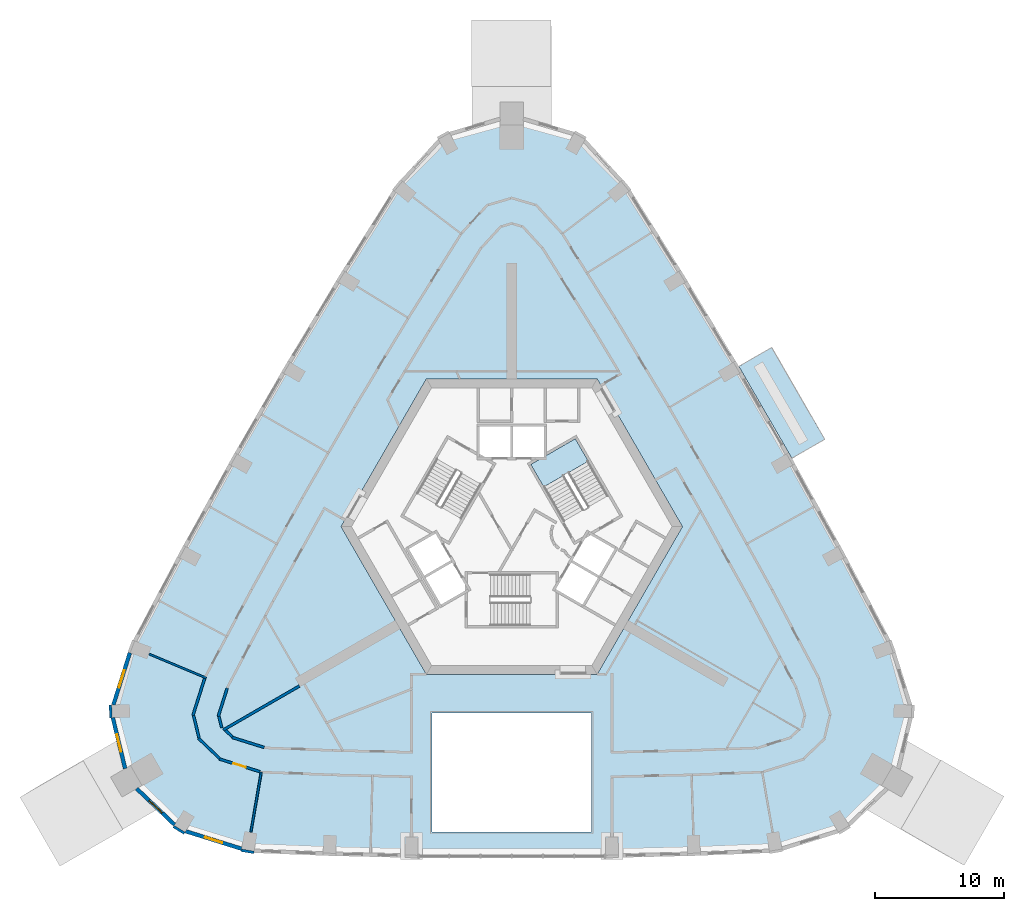
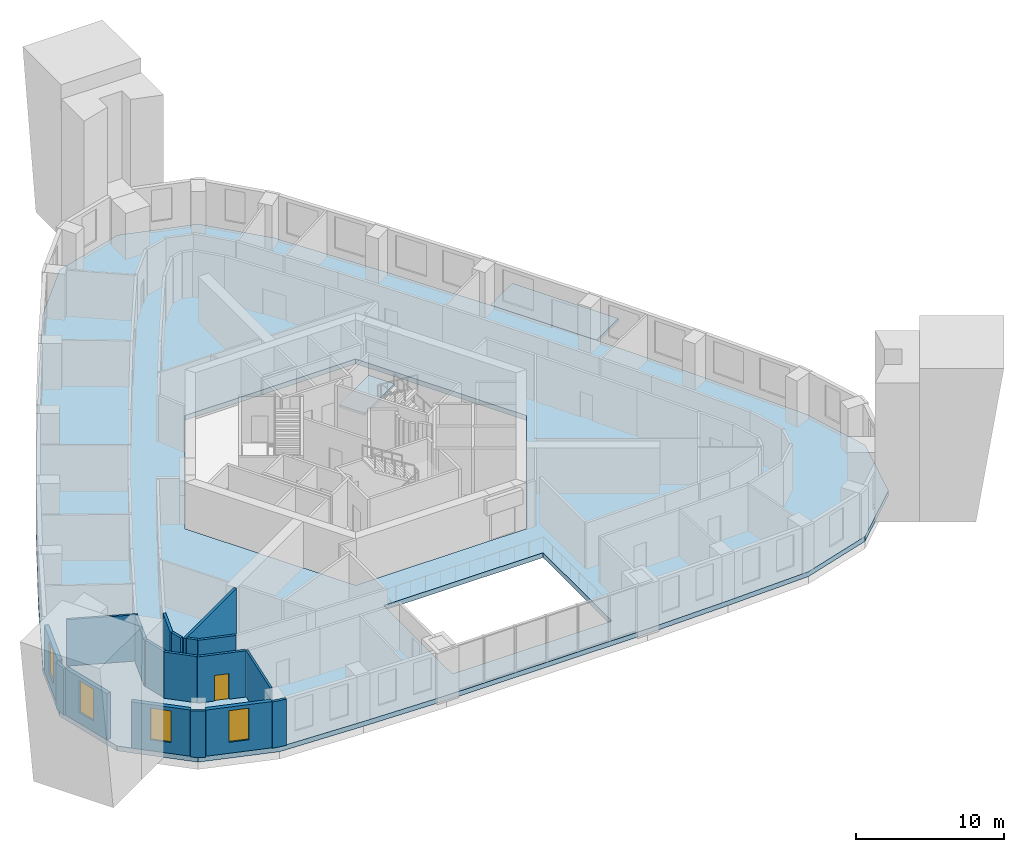
# One storey, part 3 of 13: 18 walls, 4 windows, 3 slabs, 1 door, 5 openings, 1 element without a shape of its own.
"""IFC4 building model written with IfcOpenShell, lengths in metres."""

from ifc_helpers import new_model, si_unit, direction, frame, frame_2d, origin, place, context, subcontext, project, spatial, polyline, rectangle, outline, extrude, material, layer, layer_set, type_object, element, fill, aggregate, save


model = new_model("IFC4")

# Units and contexts
model_context = context("Model", 3, precision=1e-05, world=origin(), true_north=direction((0.0, 1.0)))
body_context = subcontext(model_context, "Body", "Model", "MODEL_VIEW")
ifc_project = project(units=[si_unit("LENGTHUNIT", "METRE"), si_unit("AREAUNIT", "SQUARE_METRE"), si_unit("VOLUMEUNIT", "CUBIC_METRE"), si_unit("PLANEANGLEUNIT", "RADIAN"), si_unit("MASSUNIT", "GRAM", prefix="KILO")], contexts=[model_context])

# Site, building, storey
site_placement = place(None, origin())
site = spatial("IfcSite", under=ifc_project, at=site_placement, CompositionType="ELEMENT")
building_placement = place(site_placement, origin())
building = spatial("IfcBuilding", under=site, at=building_placement, Name="Entoto Arch Interchange Tower", CompositionType="ELEMENT")
storey_placement = place(building_placement, frame((0.0, 0.0, 215.0)))
storey = spatial("IfcBuildingStorey", under=building, at=storey_placement, Name="L48", CompositionType="ELEMENT", Elevation=215.0)

# Slab
ifc_material_1 = material(Name="Board-marked precast concrete C50/60", Category="concrete")
ifc_layer_1 = layer(ifc_material_1, 0.25)
ifc_layer_set_1 = layer_set([ifc_layer_1], Name="Board-marked precast concrete C50/60")
slab_type_1 = type_object("IfcSlabType", Name="BALCONY DECK PRECAST 250", PredefinedType="FLOOR", material=ifc_layer_set_1)
slab_1_placement = place(storey_placement, frame((0.0, 0.0, -0.25)))
element("IfcSlab", 1, at=slab_1_placement, inside=storey, type_object=slab_type_1, Name="Planted balcony NE-03 L48", PredefinedType="FLOOR", context=body_context, shape_type="SweptSolid", body=[
    extrude(outline(polyline([(21.791015625, 7.819091796875), (17.6669921875, 14.9619140625), (20.221923828125, 16.43701171875), (24.345947265625, 9.2939453125), (21.791015625, 7.819091796875)])), origin(), (0.0, 0.0, 1.0), 0.25),
])

# Stair, slab
ifc_material_2 = material(Name="Concrete C40/50", Category="concrete")
stair_type = type_object("IfcStairType", Name="EXIT STAIR RC 1800", PredefinedType="HALF_TURN_STAIR", material=ifc_material_2)
stair_placement = place(storey_placement, origin())
stair = element("IfcStair", 2, at=stair_placement, inside=storey, type_object=stair_type, Name="L48 Exit stair NE", PredefinedType="HALF_TURN_STAIR")
ifc_layer_2 = layer(ifc_material_2, 0.199951171875)
ifc_layer_set_2 = layer_set([ifc_layer_2], Name="Concrete C40/50")
slab_type_2 = type_object("IfcSlabType", Name="EXIT STAIR LANDING RC 200", PredefinedType="LANDING", material=ifc_layer_set_2)
slab_2_placement = place(storey_placement, frame((0.0, 0.0, 1.89990234375)))
slab_2 = element("IfcSlab", 3, at=slab_2_placement, type_object=slab_type_2, Name="ST-NE landing 1", PredefinedType="LANDING", context=body_context, shape_type="SweptSolid", body=[
    extrude(outline(polyline([(5.953369140625, 7.58837890625), (4.943359375, 9.337890625), (1.479248046875, 7.337890625), (2.4892578125, 5.58837890625), (5.953369140625, 7.58837890625)])), origin(), (0.0, 0.0, 1.0), 0.2001953125),
])
aggregate(stair, [slab_2])

# Slab
ifc_layer_3 = layer(ifc_material_2, 0.39990234375)
ifc_layer_set_3 = layer_set([ifc_layer_3], Name="Concrete C40/50")
slab_type_3 = type_object("IfcSlabType", Name="Post-tensioned flat plate 400 C40/50", PredefinedType="FLOOR", material=ifc_layer_set_3)
slab_3_placement = place(storey_placement, frame((0.0, 0.0, -0.39990234375)))
element("IfcSlab", 4, at=slab_3_placement, inside=storey, type_object=slab_type_3, Name="Floor slab L48", PredefinedType="FLOOR", context=body_context, shape_type="SweptSolid", body=[
    extrude(outline(polyline([(-20.569091796875, -22.862060546875), (-14.18505859375, -23.10693359375), (-7.800048828125, -23.260986328125), (7.800048828125, -23.260986328125), (14.18505859375, -23.10693359375), (20.569091796875, -22.862060546875), (25.93798828125, -21.179931640625), (29.991943359375, -17.31591796875), (31.31201171875, -11.873046875), (29.699951171875, -6.7880859375), (25.784912109375, 0.60205078125), (21.791015625, 7.819091796875), (17.6669921875, 14.9619140625), (13.4140625, 22.030029296875), (8.970947265625, 29.114990234375), (5.373046875, 33.052978515625), (0.0, 34.632080078125), (-5.373046875, 33.052978515625), (-8.970947265625, 29.114990234375), (-13.4140625, 22.030029296875), (-17.6669921875, 14.9619140625), (-21.791015625, 7.819091796875), (-25.784912109375, 0.60205078125), (-29.699951171875, -6.7880859375), (-31.31201171875, -11.873046875), (-29.991943359375, -17.31591796875), (-25.93798828125, -21.179931640625), (-20.569091796875, -22.862060546875)]), holes=[polyline([(6.199951171875, -21.260986328125), (6.199951171875, -12.0), (-6.199951171875, -12.0), (-6.199951171875, -21.260986328125), (6.199951171875, -21.260986328125)]), polyline([(13.279052734375, 2.5), (6.639892578125, 14.0), (-6.639892578125, 14.0), (-13.279052734375, 2.5), (-6.639892578125, -9.0), (6.639892578125, -9.0), (13.279052734375, 2.5)])]), origin(), (0.0, 0.0, 1.0), 0.39990234375),
])

# Walls
ifc_material_3 = material(Name="Gypsum board partition on steel studs", Category="steel")
ifc_layer_4 = layer(ifc_material_3, 0.14990234375)
ifc_layer_set_4 = layer_set([ifc_layer_4], Name="Gypsum board partition on steel studs")
wall_type_1 = type_object("IfcWallType", Name="PARTITION 150", PredefinedType="PARTITIONING", material=ifc_layer_set_4)
wall_1_placement = place(storey_placement, frame((-23.77392578125, -9.27294921875, 0.0), z_axis=(0.0, 0.0, 1.0), x_axis=(-0.922217762148, 0.386670918454, 0.0)))
element("IfcWall", 5, at=wall_1_placement, inside=storey, type_object=wall_type_1, Name="wall:L48:p128", PredefinedType="PARTITIONING", context=body_context, shape_type="SweptSolid", body=[
    extrude(rectangle(XDim=4.804931640625, YDim=0.14990234375, at=frame_2d((2.40234375, 0.0))), origin(), (0.0, 0.0, 1.0), 3.800048828125),
])
wall_2_placement = place(storey_placement, frame((-19.488037109375, -16.59912109375, 0.0), z_axis=(0.0, 0.0, 1.0), x_axis=(-0.169963884325, -0.985450292011, 0.0)))
element("IfcWall", 6, at=wall_2_placement, inside=storey, type_object=wall_type_1, Name="wall:L48:p129", PredefinedType="PARTITIONING", context=body_context, shape_type="SweptSolid", body=[
    extrude(rectangle(XDim=4.73583984375, YDim=0.14990234375, at=frame_2d((2.367919921875, 0.0))), origin(), (0.0, 0.0, 1.0), 3.800048828125),
])
ifc_layer_5 = layer(ifc_material_3, 0.199951171875)
ifc_layer_set_5 = layer_set([ifc_layer_5], Name="Gypsum board partition on steel studs")
wall_type_2 = type_object("IfcWallType", Name="PARTITION 200", PredefinedType="PARTITIONING", material=ifc_layer_set_5)
wall_3_placement = place(storey_placement, frame((-22.136962890625, -10.06689453125, 0.0), z_axis=(0.0, 0.0, 1.0), x_axis=(-0.302262657712, -0.953224677478, 0.0)))
element("IfcWall", 7, at=wall_3_placement, inside=storey, type_object=wall_type_2, Name="wall:L48:p029", PredefinedType="PARTITIONING", context=body_context, shape_type="SweptSolid", body=[
    extrude(rectangle(XDim=2.302734375, YDim=0.199951171875, at=frame_2d((1.1513671875, 0.0))), origin(), (0.0, 0.0, 1.0), 3.800048828125),
])
wall_4_placement = place(storey_placement, frame((-22.779052734375, -12.263916015625, 0.0), z_axis=(0.0, 0.0, 1.0), x_axis=(0.2356388299, -0.971840697771, 0.0)))
element("IfcWall", 8, at=wall_4_placement, inside=storey, type_object=wall_type_2, Name="wall:L48:p030", PredefinedType="PARTITIONING", context=body_context, shape_type="SweptSolid", body=[
    extrude(rectangle(XDim=0.900390625, YDim=0.199951171875, at=frame_2d((0.4501953125, 0.0))), origin(), (0.0, 0.0, 1.0), 3.800048828125),
])
wall_5_placement = place(storey_placement, frame((-22.281005859375, -13.3369140625, 0.0), z_axis=(0.0, 0.0, 1.0), x_axis=(0.723443840005, -0.690383234413, 0.0)))
element("IfcWall", 9, at=wall_5_placement, inside=storey, type_object=wall_type_2, Name="wall:L48:p031", PredefinedType="PARTITIONING", context=body_context, shape_type="SweptSolid", body=[
    extrude(rectangle(XDim=0.753173828125, YDim=0.199951171875, at=frame_2d((0.37646484375, 0.0))), origin(), (0.0, 0.0, 1.0), 3.800048828125),
])
wall_6_placement = place(storey_placement, frame((-21.759033203125, -13.89599609375, 0.0), z_axis=(0.0, 0.0, 1.0), x_axis=(0.954254371194, -0.298995978328, 0.0)))
element("IfcWall", 10, at=wall_6_placement, inside=storey, type_object=wall_type_2, Name="wall:L48:p032", PredefinedType="PARTITIONING", context=body_context, shape_type="SweptSolid", body=[
    extrude(rectangle(XDim=2.621826171875, YDim=0.199951171875, at=frame_2d((1.31103515625, 0.0))), origin(), (0.0, 0.0, 1.0), 3.800048828125),
])

# Wall, opening, door
wall_7_placement = place(storey_placement, frame((-19.5830078125, -16.569091796875, 0.0), z_axis=(0.0, 0.0, 1.0), x_axis=(-0.954238750745, 0.299045826884, 0.0)))
wall_7 = element("IfcWall", 11, at=wall_7_placement, inside=storey, type_object=wall_type_2, Name="wall:L48:p060", PredefinedType="PARTITIONING", context=body_context, shape_type="SweptSolid", body=[
    extrude(rectangle(XDim=3.31787109375, YDim=0.199951171875, at=frame_2d((1.658935546875, 0.0))), origin(), (0.0, 0.0, 1.0), 3.800048828125),
])
opening_1_placement = place(wall_7_placement, frame((1.158935546875, 0.0, 0.0)))
opening_1 = element("IfcOpeningElement", 12, at=opening_1_placement, cuts=wall_7, Name="Opening L48-D13", PredefinedType="OPENING", context=body_context, shape_type="SweptSolid", body=[
    extrude(rectangle(XDim=1.0, YDim=2.10009765625, at=frame_2d((0.5, 1.050048828125))), frame((0.0, 0.10986328125, 0.0), z_axis=(0.0, -1.0, 0.0), x_axis=(1.0, 0.0, 0.0)), (0.0, 0.0, 1.0), 0.219970703125),
])
ifc_material_4 = material(Name="Timber door leaf in Steel S235 frame", Category="steel")
door_type = type_object("IfcDoorType", Name="DOOR DS-10 1000x2100", OperationType="SINGLE_SWING_LEFT", PredefinedType="DOOR", material=ifc_material_4)
door_placement = place(opening_1_placement, origin())
door = element("IfcDoor", 13, at=door_placement, inside=storey, type_object=door_type, Name="door:L48:13", OperationType="SINGLE_SWING_RIGHT", OverallHeight=2.10009765625, OverallWidth=1.0, PredefinedType="DOOR", context=body_context, shape_type="SweptSolid", body=[
    extrude(rectangle(XDim=1.0, YDim=2.10009765625, at=frame_2d((0.5, 1.050048828125))), frame((0.0, 0.02490234375, 0.0), z_axis=(0.0, -1.0, 0.0), x_axis=(1.0, 0.0, 0.0)), (0.0, 0.0, 1.0), 0.050048828125),
])
fill(opening_1, door)

# Walls
wall_8_placement = place(storey_placement, frame((-22.72607421875, -15.5380859375, 0.0), z_axis=(0.0, 0.0, 1.0), x_axis=(-0.723967420116, 0.689834164571, 0.0)))
element("IfcWall", 14, at=wall_8_placement, inside=storey, type_object=wall_type_2, Name="wall:L48:p061", PredefinedType="PARTITIONING", context=body_context, shape_type="SweptSolid", body=[
    extrude(rectangle(XDim=2.28173828125, YDim=0.199951171875, at=frame_2d((1.140869140625, 0.0))), origin(), (0.0, 0.0, 1.0), 3.800048828125),
])
wall_9_placement = place(storey_placement, frame((-24.3291015625, -13.93505859375, 0.0), z_axis=(0.0, 0.0, 1.0), x_axis=(-0.235756216468, 0.971812227952, 0.0)))
element("IfcWall", 15, at=wall_9_placement, inside=storey, type_object=wall_type_2, Name="wall:L48:p062", PredefinedType="PARTITIONING", context=body_context, shape_type="SweptSolid", body=[
    extrude(rectangle(XDim=1.78955078125, YDim=0.199951171875, at=frame_2d((0.894775390625, 0.0))), origin(), (0.0, 0.0, 1.0), 3.800048828125),
])
wall_10_placement = place(storey_placement, frame((-24.804931640625, -12.194091796875, 0.0), z_axis=(0.0, 0.0, 1.0), x_axis=(0.302200639646, 0.953244340868, 0.0)))
element("IfcWall", 16, at=wall_10_placement, inside=storey, type_object=wall_type_2, Name="wall:L48:p063", PredefinedType="PARTITIONING", context=body_context, shape_type="SweptSolid", body=[
    extrude(rectangle(XDim=3.00439453125, YDim=0.199951171875, at=frame_2d((1.502197265625, 0.0))), origin(), (0.0, 0.0, 1.0), 3.800048828125),
])
wall_11_placement = place(storey_placement, frame((-16.513916015625, -9.89697265625, 0.0), z_axis=(0.0, 0.0, 1.0), x_axis=(-0.866041209536, -0.499972622635, 0.0)))
element("IfcWall", 17, at=wall_11_placement, inside=storey, type_object=wall_type_2, Name="wall:L48:p116", PredefinedType="PARTITIONING", context=body_context, shape_type="SweptSolid", body=[
    extrude(rectangle(XDim=6.8427734375, YDim=0.199951171875, at=frame_2d((3.42138671875, 0.0))), origin(), (0.0, 0.0, 1.0), 3.800048828125),
])

# Wall, opening, window
ifc_material_5 = material(Name="Welded tuff (ignimbrite) cladding, warm buff", Category="masonry")
ifc_layer_6 = layer(ifc_material_5, 0.300048828125)
ifc_layer_set_6 = layer_set([ifc_layer_6], Name="Welded tuff (ignimbrite) cladding, warm buff")
wall_type_3 = type_object("IfcWallType", Name="STONE INFILL WALL 300", PredefinedType="STANDARD", material=ifc_layer_set_6)
wall_12_placement = place(storey_placement, frame((-29.7099609375, -7.31591796875, 0.0), z_axis=(0.0, 0.0, 1.0), x_axis=(-0.302195467572, -0.953245980521, 0.0)))
wall_12 = element("IfcWall", 18, at=wall_12_placement, inside=storey, type_object=wall_type_3, Name="Facade wall SW-01 L48", PredefinedType="STANDARD", context=body_context, shape_type="SweptSolid", body=[
    extrude(rectangle(XDim=4.248779296875, YDim=0.300048828125, at=frame_2d((2.12451171875, 0.0))), origin(), (0.0, 0.0, 1.0), 3.800048828125),
])
opening_2_placement = place(wall_12_placement, frame((1.424072265625, 0.0, 0.89990234375)))
opening_2 = element("IfcOpeningElement", 19, at=opening_2_placement, cuts=wall_12, Name="Opening WO-B", PredefinedType="OPENING", context=body_context, shape_type="SweptSolid", body=[
    extrude(rectangle(XDim=1.39990234375, YDim=2.60009765625, at=frame_2d((0.699951171875, 1.300048828125))), frame((0.0, 0.16015625, 0.0), z_axis=(0.0, -1.0, 0.0), x_axis=(1.0, 0.0, 0.0)), (0.0, 0.0, 1.0), 0.320068359375),
])
ifc_material_6 = material(Name="Clear glass, low-e double glazed", Category="glass")
window_type = type_object("IfcWindowType", Name="WINDOW WO-B 1400x2600", PartitioningType="DOUBLE_PANEL_VERTICAL", PredefinedType="WINDOW", material=ifc_material_6)
window_1_placement = place(opening_2_placement, origin())
window_1 = element("IfcWindow", 20, at=window_1_placement, inside=storey, type_object=window_type, Name="Window WO-B SW-01 L48", OverallHeight=2.60009765625, OverallWidth=1.39990234375, PartitioningType="SINGLE_PANEL", PredefinedType="WINDOW", context=body_context, shape_type="SweptSolid", body=[
    extrude(rectangle(XDim=1.39990234375, YDim=2.60009765625, at=frame_2d((0.699951171875, 1.300048828125))), frame((0.0, 0.030029296875, 0.0), z_axis=(0.0, -1.0, 0.0), x_axis=(1.0, 0.0, 0.0)), (0.0, 0.0, 1.0), 0.06005859375),
])
fill(opening_2, window_1)

wall_13_placement = place(storey_placement, frame((-31.0380859375, -12.364990234375, 0.0), z_axis=(0.0, 0.0, 1.0), x_axis=(0.235766276378, -0.971809787419, 0.0)))
wall_13 = element("IfcWall", 21, at=wall_13_placement, inside=storey, type_object=wall_type_3, Name="Facade wall SW-02 L48", PredefinedType="STANDARD", context=body_context, shape_type="SweptSolid", body=[
    extrude(rectangle(XDim=4.076904296875, YDim=0.300048828125, at=frame_2d((2.03857421875, 0.0))), origin(), (0.0, 0.0, 1.0), 3.800048828125),
])
opening_3_placement = place(wall_13_placement, frame((1.337890625, 0.0, 0.89990234375)))
opening_3 = element("IfcOpeningElement", 22, at=opening_3_placement, cuts=wall_13, Name="Opening WO-B", PredefinedType="OPENING", context=body_context, shape_type="SweptSolid", body=[
    extrude(rectangle(XDim=1.39990234375, YDim=2.60009765625, at=frame_2d((0.699951171875, 1.300048828125))), frame((0.0, 0.16015625, 0.0), z_axis=(0.0, -1.0, 0.0), x_axis=(1.0, 0.0, 0.0)), (0.0, 0.0, 1.0), 0.320068359375),
])
window_2_placement = place(opening_3_placement, origin())
window_2 = element("IfcWindow", 23, at=window_2_placement, inside=storey, type_object=window_type, Name="Window WO-B SW-02 L48", OverallHeight=2.60009765625, OverallWidth=1.39990234375, PartitioningType="SINGLE_PANEL", PredefinedType="WINDOW", context=body_context, shape_type="SweptSolid", body=[
    extrude(rectangle(XDim=1.39990234375, YDim=2.60009765625, at=frame_2d((0.699951171875, 1.300048828125))), frame((0.0, 0.030029296875, 0.0), z_axis=(0.0, -1.0, 0.0), x_axis=(1.0, 0.0, 0.0)), (0.0, 0.0, 1.0), 0.06005859375),
])
fill(opening_3, window_2)

wall_14_placement = place(storey_placement, frame((-29.177978515625, -17.884033203125, 0.0), z_axis=(0.0, 0.0, 1.0), x_axis=(0.723707630873, -0.69010670553, 0.0)))
wall_14 = element("IfcWall", 24, at=wall_14_placement, inside=storey, type_object=wall_type_3, Name="Facade wall SW-03 L48", PredefinedType="STANDARD", context=body_context, shape_type="SweptSolid", body=[
    extrude(rectangle(XDim=4.076171875, YDim=0.300048828125, at=frame_2d((2.0380859375, 0.0))), origin(), (0.0, 0.0, 1.0), 3.800048828125),
])
opening_4_placement = place(wall_14_placement, frame((1.337890625, 0.0, 0.89990234375)))
opening_4 = element("IfcOpeningElement", 25, at=opening_4_placement, cuts=wall_14, Name="Opening WO-B", PredefinedType="OPENING", context=body_context, shape_type="SweptSolid", body=[
    extrude(rectangle(XDim=1.39990234375, YDim=2.60009765625, at=frame_2d((0.699951171875, 1.300048828125))), frame((0.0, 0.16015625, 0.0), z_axis=(0.0, -1.0, 0.0), x_axis=(1.0, 0.0, 0.0)), (0.0, 0.0, 1.0), 0.320068359375),
])
window_3_placement = place(opening_4_placement, origin())
window_3 = element("IfcWindow", 26, at=window_3_placement, inside=storey, type_object=window_type, Name="Window WO-B SW-03 L48", OverallHeight=2.60009765625, OverallWidth=1.39990234375, PartitioningType="SINGLE_PANEL", PredefinedType="WINDOW", context=body_context, shape_type="SweptSolid", body=[
    extrude(rectangle(XDim=1.39990234375, YDim=2.60009765625, at=frame_2d((0.699951171875, 1.300048828125))), frame((0.0, 0.030029296875, 0.0), z_axis=(0.0, -1.0, 0.0), x_axis=(1.0, 0.0, 0.0)), (0.0, 0.0, 1.0), 0.06005859375),
])
fill(opening_4, window_3)

wall_15_placement = place(storey_placement, frame((-25.366943359375, -21.201904296875, 0.0), z_axis=(0.0, 0.0, 1.0), x_axis=(0.954297481837, -0.298858354675, 0.0)))
wall_15 = element("IfcWall", 27, at=wall_15_placement, inside=storey, type_object=wall_type_3, Name="Facade wall SW-04 L48", PredefinedType="STANDARD", context=body_context, shape_type="SweptSolid", body=[
    extrude(rectangle(XDim=4.551025390625, YDim=0.300048828125, at=frame_2d((2.275390625, 0.0))), origin(), (0.0, 0.0, 1.0), 3.800048828125),
])
opening_5_placement = place(wall_15_placement, frame((1.574951171875, 0.0, 0.89990234375)))
opening_5 = element("IfcOpeningElement", 28, at=opening_5_placement, cuts=wall_15, Name="Opening WO-B", PredefinedType="OPENING", context=body_context, shape_type="SweptSolid", body=[
    extrude(rectangle(XDim=1.39990234375, YDim=2.60009765625, at=frame_2d((0.699951171875, 1.300048828125))), frame((0.0, 0.16015625, 0.0), z_axis=(0.0, -1.0, 0.0), x_axis=(1.0, 0.0, 0.0)), (0.0, 0.0, 1.0), 0.320068359375),
])
window_4_placement = place(opening_5_placement, origin())
window_4 = element("IfcWindow", 29, at=window_4_placement, inside=storey, type_object=window_type, Name="Window WO-B SW-04 L48", OverallHeight=2.60009765625, OverallWidth=1.39990234375, PartitioningType="SINGLE_PANEL", PredefinedType="WINDOW", context=body_context, shape_type="SweptSolid", body=[
    extrude(rectangle(XDim=1.39990234375, YDim=2.60009765625, at=frame_2d((0.699951171875, 1.300048828125))), frame((0.0, 0.030029296875, 0.0), z_axis=(0.0, -1.0, 0.0), x_axis=(1.0, 0.0, 0.0)), (0.0, 0.0, 1.0), 0.06005859375),
])
fill(opening_5, window_4)

# Walls
ifc_layer_7 = layer(ifc_material_5, 0.199951171875)
ifc_layer_set_7 = layer_set([ifc_layer_7], Name="Welded tuff (ignimbrite) cladding, warm buff")
wall_type_4 = type_object("IfcWallType", Name="STONE PIER CLADDING 200", PredefinedType="STANDARD", material=ifc_layer_set_7)
wall_16_placement = place(storey_placement, frame((-21.044921875, -22.678955078125, 0.0), z_axis=(0.0, 0.0, 1.0), x_axis=(0.985631544579, -0.168909615862, 0.0)))
element("IfcWall", 30, at=wall_16_placement, inside=storey, type_object=wall_type_4, Name="Stone pier S01 L48", PredefinedType="STANDARD", context=body_context, shape_type="SweptSolid", body=[
    extrude(rectangle(XDim=1.000244140625, YDim=0.199951171875, at=frame_2d((0.5, 0.0))), origin(), (0.0, 0.0, 1.0), 3.800048828125),
])
wall_17_placement = place(storey_placement, frame((-31.22412109375, -11.37109375, 0.0), z_axis=(0.0, 0.0, 1.0), x_axis=(0.024186470916, -0.999707464524, 0.0)))
element("IfcWall", 31, at=wall_17_placement, inside=storey, type_object=wall_type_4, Name="Stone pier SW1 L48", PredefinedType="STANDARD", context=body_context, shape_type="SweptSolid", body=[
    extrude(rectangle(XDim=0.999267578125, YDim=0.199951171875, at=frame_2d((0.49951171875, 0.0))), origin(), (0.0, 0.0, 1.0), 3.800048828125),
])
wall_18_placement = place(storey_placement, frame((-26.31298828125, -20.833984375, 0.0), z_axis=(0.0, 0.0, 1.0), x_axis=(0.853679739553, -0.520798331677, 0.0)))
element("IfcWall", 32, at=wall_18_placement, inside=storey, type_object=wall_type_4, Name="Stone pier SW3 L48", PredefinedType="STANDARD", context=body_context, shape_type="SweptSolid", body=[
    extrude(rectangle(XDim=1.00048828125, YDim=0.199951171875, at=frame_2d((0.500244140625, 0.0))), origin(), (0.0, 0.0, 1.0), 3.800048828125),
])

save(model, "model.ifc")
